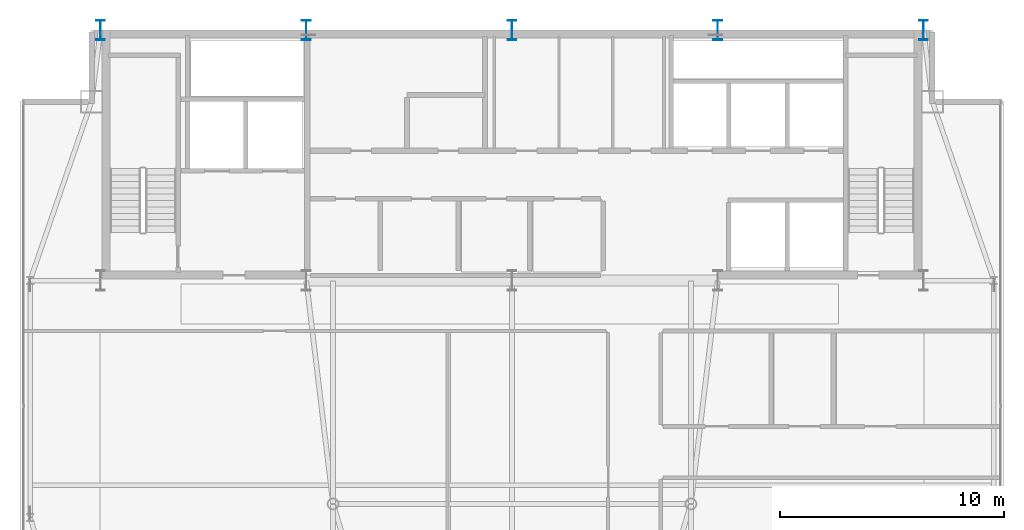
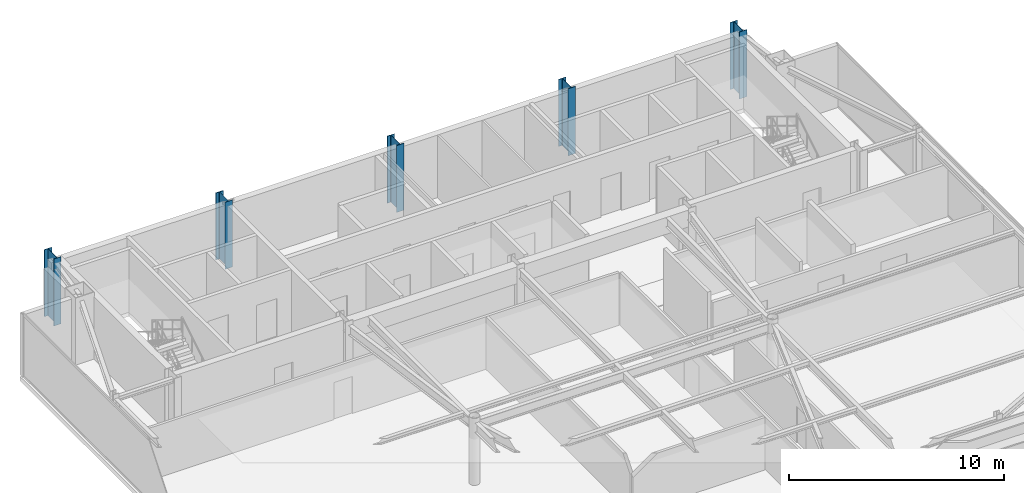
# One storey, part 3 of 24: 5 columns.
"""IFC4 building model written with IfcOpenShell, lengths in metres."""

from ifc_helpers import new_model, si_unit, direction, frame, origin, origin_2d, place, context, subcontext, project, spatial, i_section, extrude, source, transform, mapped, material, material_profile, profile_set, type_object, type_shapes, element, save


model = new_model("IFC4")

# Units and contexts
model_context = context("Model", 3, precision=1e-05, world=origin(), true_north=direction((0.0, 1.0)))
body_context = subcontext(model_context, "Body", "Model", "MODEL_VIEW")
ifc_project = project(units=[si_unit("LENGTHUNIT", "METRE"), si_unit("AREAUNIT", "SQUARE_METRE"), si_unit("VOLUMEUNIT", "CUBIC_METRE"), si_unit("PLANEANGLEUNIT", "RADIAN"), si_unit("MASSUNIT", "GRAM", prefix="KILO")], contexts=[model_context])

# Site, building, storey
site_placement = place(None, origin())
site = spatial("IfcSite", under=ifc_project, at=site_placement, CompositionType="ELEMENT")
building_placement = place(site_placement, origin())
building = spatial("IfcBuilding", under=site, at=building_placement, Name="Varnel Quay Broadcast Tower", CompositionType="ELEMENT")
storey_placement = place(building_placement, frame((0.0, 0.0, 269.800048828125)))
storey = spatial("IfcBuildingStorey", under=building, at=storey_placement, Name="L67", CompositionType="ELEMENT", Elevation=269.800048828125)

# Columns
ifc_material = material(Name="Structural Steel CSA G40.21 350WT", Category="steel")
ifc_material_profile = material_profile(ifc_material, i_section(OverallWidth=0.39990234375, OverallDepth=0.89990234375, WebThickness=0.01611328125, FlangeThickness=0.028076171875, FilletRadius=0.01611328125, at=origin_2d()), Name="WWF900X309")
ifc_profile_set = profile_set([ifc_material_profile], Name="Structural Steel CSA G40.21 350WT")
column_type = type_object("IfcColumnType", Name="Col_WWF900X309", PredefinedType="COLUMN", material=ifc_profile_set)
shared_shape = source(origin(), body_context, "Body", "SweptSolid", [
    extrude(i_section(OverallWidth=0.39990234375, OverallDepth=0.89990234375, WebThickness=0.01611328125, FlangeThickness=0.028076171875, FilletRadius=0.01611328125, at=origin_2d()), origin(), (0.0, 0.0, 1.0), 3.800048828125),
])
type_shapes(column_type, [shared_shape])
for number, where, z_axis, x_axis, name in (
    (1, (15.60009765625, 46.800048828125, 0.0), (0.0, 0.0, 1.0), (1.0, 0.0, 0.0), "L67 Column CC-N1"),
    (2, (24.800048828125, 46.800048828125, 0.0), (0.0, 0.0, 1.0), (1.0, 0.0, 0.0), "L67 Column CC-N2"),
    (3, (34.0, 46.800048828125, 0.0), (0.0, 0.0, 1.0), (1.0, 0.0, 0.0), "L67 Column CC-N3"),
    (4, (43.199951171875, 46.800048828125, 0.0), (0.0, 0.0, 1.0), (1.0, 0.0, 0.0), "L67 Column CC-N4"),
    (5, (52.39990234375, 46.800048828125, 0.0), (0.0, 0.0, 1.0), (1.0, 0.0, 0.0), "L67 Column CC-N5"),
):
    element("IfcColumn", number, at=place(storey_placement, frame(where, z_axis=z_axis, x_axis=x_axis)), inside=storey, type_object=column_type, Name=name, PredefinedType="COLUMN", context=body_context, shape_type="MappedRepresentation", body=[
        mapped(shared_shape, transform((0.0, 0.0, 0.0), x_axis=(1.0, 0.0, 0.0), y_axis=(0.0, 1.0, 0.0), z_axis=(0.0, 0.0, 1.0), scale=1.0)),
    ])

save(model, "model.ifc")
